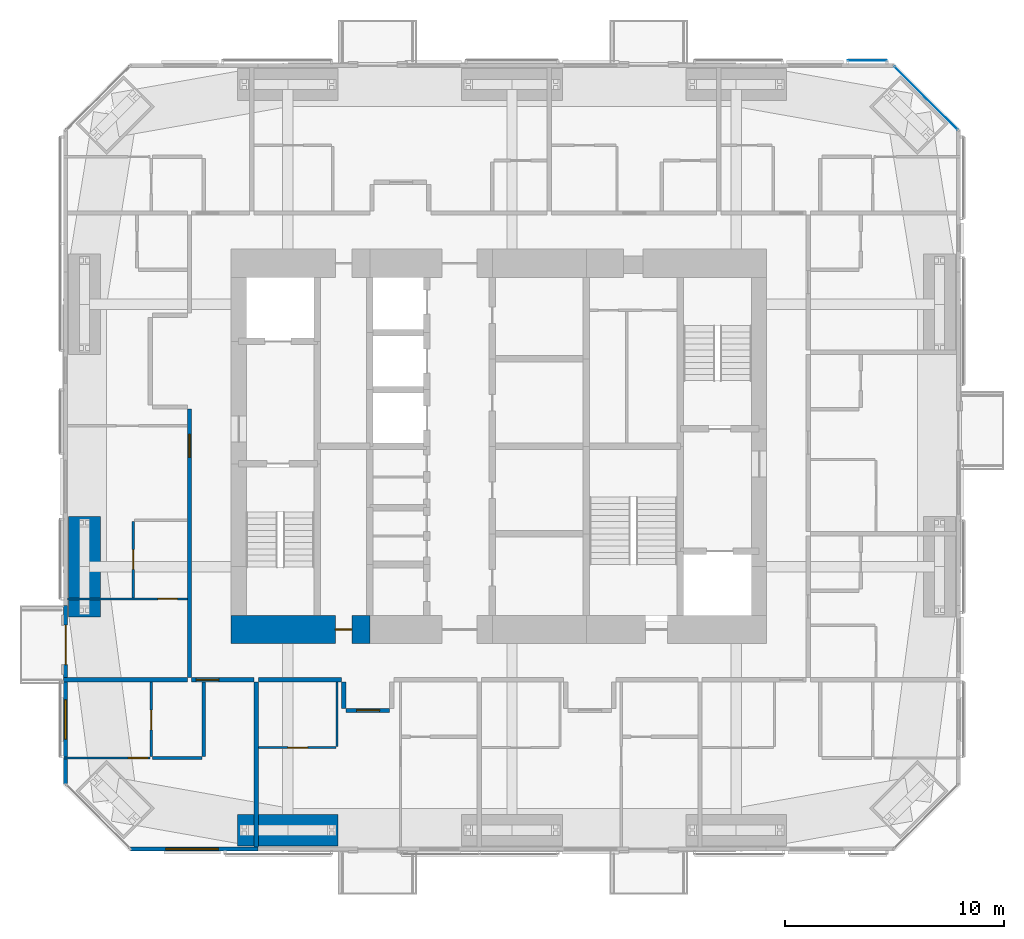
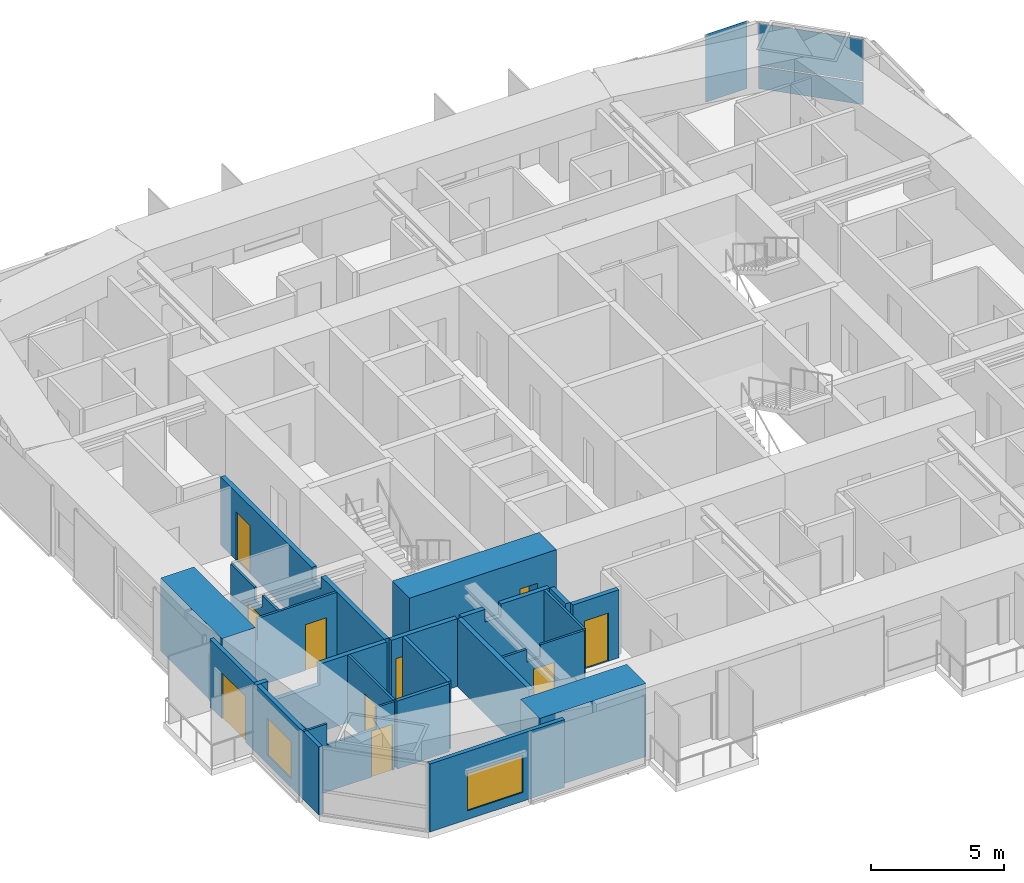
# One storey, part 15 of 22: 20 walls, 10 doors, 3 plates, 2 windows, 12 openings, 2 elements without a shape of their own.
"""IFC4 building model written with IfcOpenShell, lengths in metres."""

import ifcopenshell
import ifcopenshell.guid

model = None  # the IFC model being written
_history = None  # IfcOwnerHistory: only IFC2X3 demands one
_inside = {}  # id of a spatial element -> (the spatial element, [elements in it])
_under = {}  # id of a project, library or spatial element -> (it, [spatial elements below it])
_declared = {}  # id of a project -> (the project, [libraries it declares])
_typed = {}  # id of a type object -> (the type object, [elements of that type])
_made_of = {}  # id of a material, layer set ... -> (it, [elements and type objects made of it])


def new_model(schema):
    """Start an empty IFC model of exactly this schema.

    Asked for "IFC4X3", IfcOpenShell would pick the latest addendum, in which some entities
    have other attributes; the version numbers below select the first issue.
    IFC2X3 requires an IfcOwnerHistory on every rooted entity: one is made here for all.
    """
    global model, _history
    if schema == "IFC4X3":
        model = ifcopenshell.file(schema_version=(4, 3, 0, 0))
    else:
        model = ifcopenshell.file(schema=schema)
    _inside.clear()
    _under.clear()
    _declared.clear()
    _typed.clear()
    _made_of.clear()
    _history = None
    if model.schema == "IFC2X3":
        org = make("IfcOrganization", Name="unknown")
        user = make(
            "IfcPersonAndOrganization",
            ThePerson=make("IfcPerson", FamilyName="unknown"),
            TheOrganization=org,
        )
        app = make(
            "IfcApplication",
            ApplicationDeveloper=org,
            Version="unknown",
            ApplicationFullName="unknown",
            ApplicationIdentifier="unknown",
        )
        _history = make(
            "IfcOwnerHistory",
            OwningUser=user,
            OwningApplication=app,
            ChangeAction="ADDED",
            CreationDate=0,
        )
    return model


def make(cls, **values):
    """One entity of the class cls with the attributes given. An attribute that is None is left unset."""
    return model.create_entity(
        cls, **{name: value for name, value in values.items() if value is not None}
    )


def rooted(cls, **values):
    """An entity with a GlobalId (a new one), such as an element, a storey or a relation."""
    return make(cls, GlobalId=ifcopenshell.guid.new(), OwnerHistory=_history, **values)


def si_unit(unit_type, name, prefix=None):
    """IfcSIUnit, for example si_unit("LENGTHUNIT", "METRE", prefix="MILLI")."""
    return make("IfcSIUnit", UnitType=unit_type, Prefix=prefix, Name=name)


def assignment(units):
    """IfcUnitAssignment: the units of a project."""
    return None if units is None else make("IfcUnitAssignment", Units=units)


def point(xyz):
    """IfcCartesianPoint."""
    return None if xyz is None else make("IfcCartesianPoint", Coordinates=xyz)


def direction(xyz):
    """IfcDirection."""
    return None if xyz is None else make("IfcDirection", DirectionRatios=xyz)


def frame(location, z_axis=None, x_axis=None):
    """IfcAxis2Placement3D, a coordinate frame: its origin and axes. An axis left out is left unset."""
    return make(
        "IfcAxis2Placement3D",
        Location=point(location),
        Axis=direction(z_axis),
        RefDirection=direction(x_axis),
    )


def frame_2d(location, x_axis=None):
    """IfcAxis2Placement2D, a coordinate frame in the plane: its origin and x axis."""
    return make(
        "IfcAxis2Placement2D", Location=point(location), RefDirection=direction(x_axis)
    )


def origin():
    """The frame at (0, 0, 0) with its axes left unset."""
    return frame((0.0, 0.0, 0.0))


def origin_2d():
    """The frame at (0, 0) in the plane with its x axis left unset."""
    return frame_2d((0.0, 0.0))


def place(relative_to, where):
    """IfcLocalPlacement: puts the frame where relative to a parent placement (None: the world)."""
    return make(
        "IfcLocalPlacement", PlacementRelTo=relative_to, RelativePlacement=where
    )


def context(
    kind, dimensions, precision=None, world=None, true_north=None, identifier=None
):
    """IfcGeometricRepresentationContext, for example the 3D "Model" context."""
    return make(
        "IfcGeometricRepresentationContext",
        ContextIdentifier=identifier,
        ContextType=kind,
        CoordinateSpaceDimension=dimensions,
        Precision=precision,
        WorldCoordinateSystem=world,
        TrueNorth=true_north,
    )


def subcontext(parent, identifier, kind, view, scale=None):
    """IfcGeometricRepresentationSubContext, for example "Body" below "Model"."""
    return make(
        "IfcGeometricRepresentationSubContext",
        ContextIdentifier=identifier,
        ContextType=kind,
        ParentContext=parent,
        TargetScale=scale,
        TargetView=view,
    )


def project(units=None, contexts=None):
    """IfcProject with its units and contexts."""
    return rooted(
        "IfcProject",
        Name="project",
        RepresentationContexts=contexts,
        UnitsInContext=assignment(units),
    )


def spatial(cls, under=None, at=None, **own):
    """A site, building, storey or space (cls), placed at a placement, below another one or the project."""
    s = rooted(cls, ObjectPlacement=at, **own)
    if under is not None:
        _under.setdefault(under.id(), (under, []))[1].append(s)
    return s


def polyline(points):
    """IfcPolyline through the points."""
    return make("IfcPolyline", Points=[point(p) for p in points])


def profile(cls, at=None, kind="AREA", **sizes):
    """A parametric profile (cls). Its sizes go by their IFC names, for example OverallWidth=200.0."""
    return make(cls, ProfileType=kind, Position=at, **sizes)


def rectangle(**sizes):
    """IfcRectangleProfileDef."""
    return profile("IfcRectangleProfileDef", **sizes)


def outline(outer, holes=None, kind="AREA"):
    """IfcArbitraryClosedProfileDef: a profile drawn as a closed curve; with holes, ...WithVoids."""
    if holes is None:
        return make("IfcArbitraryClosedProfileDef", ProfileType=kind, OuterCurve=outer)
    return make(
        "IfcArbitraryProfileDefWithVoids",
        ProfileType=kind,
        OuterCurve=outer,
        InnerCurves=holes,
    )


def extrude(swept, where, along, depth):
    """IfcExtrudedAreaSolid: the profile swept, set in the frame where, extruded along a direction by depth."""
    return make(
        "IfcExtrudedAreaSolid",
        SweptArea=swept,
        Position=where,
        ExtrudedDirection=direction(along),
        Depth=depth,
    )


def shape(context_of_items, identifier, shape_type, items):
    """IfcShapeRepresentation: the items that make up one representation, for example the "Body"."""
    return make(
        "IfcShapeRepresentation",
        ContextOfItems=context_of_items,
        RepresentationIdentifier=identifier,
        RepresentationType=shape_type,
        Items=items,
    )


def material(Name=None, Category=None):
    """IfcMaterial."""
    return make("IfcMaterial", Name=Name, Category=Category)


def layer(
    of_material, thickness, ventilated=None, Name=None, Category=None, Priority=None
):
    """IfcMaterialLayer: one layer of a wall or slab, of a material (None: an air gap)."""
    return make(
        "IfcMaterialLayer",
        Material=of_material,
        LayerThickness=thickness,
        IsVentilated=ventilated,
        Name=Name,
        Category=Category,
        Priority=Priority,
    )


def layer_set(layers, Name=None):
    """IfcMaterialLayerSet."""
    return make("IfcMaterialLayerSet", MaterialLayers=layers, LayerSetName=Name)


def constituent(of_material, Name=None, Category=None, fraction=None):
    """IfcMaterialConstituent: one of the materials an element consists of."""
    return make(
        "IfcMaterialConstituent",
        Name=Name,
        Material=of_material,
        Fraction=fraction,
        Category=Category,
    )


def constituent_set(constituents=None, Name=None):
    """IfcMaterialConstituentSet."""
    return make(
        "IfcMaterialConstituentSet", Name=Name, MaterialConstituents=constituents
    )


def made_of(thing, what):
    """Note that an element or type object is made of a material, layer set ...; save() writes the relation."""
    if what is not None:
        _made_of.setdefault(what.id(), (what, []))[1].append(thing)
    return thing


def type_object(cls, material=None, **own):
    """A type object (cls), such as IfcWallType, which elements share."""
    return made_of(rooted(cls, **own), material)


def element(
    cls,
    number,
    at=None,
    inside=None,
    cuts=None,
    type_object=None,
    material=None,
    context=None,
    identifier="Body",
    shape_type=None,
    held_by="IfcProductDefinitionShape",
    body=None,
    shapes=None,
    **own,
):
    """One element of the class cls, such as IfcWall. Its Tag is "e" and its number.

    at: its placement. inside: the storey or other place that contains it. cuts: it is an
    opening in that element (IfcRelVoidsElement). A single representation is given by context,
    identifier, shape_type and body (its items); several are given by shapes. held_by: the class
    of the entity that holds the representations. save() writes the other relations.
    """
    e = rooted(cls, Tag="e%d" % number, ObjectPlacement=at, **own)
    if body is not None:
        shapes = [shape(context, identifier, shape_type, body)]
    if shapes is not None:
        e.Representation = make(held_by, Representations=shapes)
    if inside is not None:
        _inside.setdefault(inside.id(), (inside, []))[1].append(e)
    if cuts is not None:
        rooted(
            "IfcRelVoidsElement", RelatingBuildingElement=cuts, RelatedOpeningElement=e
        )
    if type_object is not None:
        _typed.setdefault(type_object.id(), (type_object, []))[1].append(e)
    return made_of(e, material)


def fill(opening, filler):
    """IfcRelFillsElement: the door or window that sits in an opening."""
    return rooted(
        "IfcRelFillsElement",
        RelatingOpeningElement=opening,
        RelatedBuildingElement=filler,
    )


def aggregate(whole, parts):
    """IfcRelAggregates: a whole, such as a stair, and the parts it consists of."""
    return rooted("IfcRelAggregates", RelatingObject=whole, RelatedObjects=parts)


def save(model, path):
    """Write the relations noted so far, then the file.

    IfcRelAggregates (storeys below a building ...), IfcRelContainedInSpatialStructure (elements
    in a storey), IfcRelDefinesByType, IfcRelAssociatesMaterial and IfcRelDeclares: one each for
    every whole, place, type object, material and project.
    """
    for whole, parts in _under.values():
        aggregate(whole, parts)
    for where, things in _inside.values():
        rooted(
            "IfcRelContainedInSpatialStructure",
            RelatedElements=things,
            RelatingStructure=where,
        )
    for kind, things in _typed.values():
        rooted("IfcRelDefinesByType", RelatedObjects=things, RelatingType=kind)
    for what, things in _made_of.values():
        rooted("IfcRelAssociatesMaterial", RelatedObjects=things, RelatingMaterial=what)
    for by, libraries in _declared.values():
        rooted("IfcRelDeclares", RelatingContext=by, RelatedDefinitions=libraries)
    model.write(path)


model = new_model("IFC4")

# Units and contexts
model_context = context("Model", 3, precision=1e-05, world=origin(), true_north=direction((0.0, 1.0)))
body_context = subcontext(model_context, "Body", "Model", "MODEL_VIEW")
ifc_project = project(units=[si_unit("LENGTHUNIT", "METRE"), si_unit("AREAUNIT", "SQUARE_METRE"), si_unit("VOLUMEUNIT", "CUBIC_METRE"), si_unit("PLANEANGLEUNIT", "RADIAN"), si_unit("MASSUNIT", "GRAM", prefix="KILO")], contexts=[model_context])

# Site, building, storey
site_placement = place(None, origin())
site = spatial("IfcSite", under=ifc_project, at=site_placement, CompositionType="ELEMENT")
building_placement = place(site_placement, origin())
building = spatial("IfcBuilding", under=site, at=building_placement, Name="Jalousie Tower", CompositionType="ELEMENT")
storey_placement = place(building_placement, frame((0.0, 0.0, 154.35009765625)))
storey = spatial("IfcBuildingStorey", under=building, at=storey_placement, Name="L41", CompositionType="ELEMENT", Elevation=154.35009765625)

# Curtain wall, plates
ifc_material_1 = material(Name="Aluminium curtain wall", Category="aluminium")
curtain_wall_type_1 = type_object("IfcCurtainWallType", Name="CORNER WINDOW WALL", PredefinedType="USERDEFINED", material=ifc_material_1)
curtain_wall_1_placement = place(storey_placement, origin())
curtain_wall_1 = element("IfcCurtainWall", 1, at=curtain_wall_1_placement, inside=storey, type_object=curtain_wall_type_1, Name="Corner Window Wall L41 4", ObjectType="CORNER WINDOW WALL", PredefinedType="USERDEFINED")
ifc_material_2 = material(Name="Laminated impact-rated spandrel glass", Category="glass")
ifc_layer_1 = layer(ifc_material_2, 0.028076171875)
ifc_layer_set_1 = layer_set([ifc_layer_1], Name="Laminated impact-rated spandrel glass")
plate_type_1 = type_object("IfcPlateType", Name="CORNER WINDOW WALL PANEL", PredefinedType="CURTAIN_PANEL", material=ifc_layer_set_1)
plate_1_placement = place(storey_placement, frame((51.4306640625, 34.4306640625, 0.06005859375), z_axis=(0.0, 0.0, 1.0), x_axis=(-0.707106781187, 0.707106781187, 0.0)))
plate_1 = element("IfcPlate", 2, at=plate_1_placement, type_object=plate_type_1, Name="CW-C panel 1.1", PredefinedType="CURTAIN_PANEL", context=body_context, shape_type="SweptSolid", body=[
    extrude(rectangle(XDim=4.071533203125, YDim=0.028076171875, at=origin_2d()), origin(), (0.0, 0.0, 1.0), 1.010009765625),
])
plate_2_placement = place(storey_placement, frame((51.4306640625, 34.4306640625, 1.1298828125), z_axis=(0.0, 0.0, 1.0), x_axis=(-0.707106781187, 0.707106781187, 0.0)))
plate_2 = element("IfcPlate", 3, at=plate_2_placement, type_object=plate_type_1, Name="CW-C panel 1.2", PredefinedType="CURTAIN_PANEL", context=body_context, shape_type="SweptSolid", body=[
    extrude(rectangle(XDim=4.071533203125, YDim=0.028076171875, at=origin_2d()), origin(), (0.0, 0.0, 1.0), 1.919921875),
])
aggregate(curtain_wall_1, [plate_1, plate_2])

# Curtain wall, plate
ifc_material_3 = material(Name="Perforated aluminium sheet", Category="aluminium")
curtain_wall_type_2 = type_object("IfcCurtainWallType", Name="SOLAR SCREEN SS-1", PredefinedType="USERDEFINED", material=ifc_material_3)
curtain_wall_2_placement = place(storey_placement, origin())
curtain_wall_2 = element("IfcCurtainWall", 4, at=curtain_wall_2_placement, inside=storey, type_object=curtain_wall_type_2, Name="Solar screen L41", ObjectType="SOLAR SCREEN SS-1", PredefinedType="USERDEFINED")
ifc_material_4 = material(Name="Perforated aluminium sheet", Category="aluminium")
ifc_layer_2 = layer(ifc_material_4, 0.006103515625)
ifc_layer_set_2 = layer_set([ifc_layer_2], Name="Perforated aluminium sheet")
plate_type_2 = type_object("IfcPlateType", Name="SOLAR SCREEN SS-1 PANEL", PredefinedType="CURTAIN_PANEL", material=ifc_layer_set_2)
plate_3_placement = place(storey_placement, frame((48.75390625, 36.150390625, 0.0), z_axis=(0.0, 0.0, 1.0), x_axis=(-1.0, 0.0, 0.0)))
plate_3 = element("IfcPlate", 5, at=plate_3_placement, type_object=plate_type_2, Name="SS1 perforated panel 1", PredefinedType="CURTAIN_PANEL", context=body_context, shape_type="SweptSolid", body=[
    extrude(rectangle(XDim=1.78955078125, YDim=0.006103515625, at=origin_2d()), origin(), (0.0, 0.0, 1.0), 3.110107421875),
])
aggregate(curtain_wall_2, [plate_3])

# Walls
ifc_material_5 = material(Name="Concrete block ASTM C90", Category="concrete")
ifc_constituent_1 = constituent(ifc_material_5, Name="Body")
ifc_material_6 = material(Name="Render")
ifc_constituent_2 = constituent(ifc_material_6, Name="Finish")
ifc_constituent_set_1 = constituent_set(constituents=[ifc_constituent_1, ifc_constituent_2])
wall_type_1 = type_object("IfcWallType", Name="BATHROOM WALL 150", PredefinedType="PLUMBINGWALL", material=ifc_constituent_set_1)
wall_1_placement = place(storey_placement, frame((18.324951171875, 4.251708984375, 0.0), z_axis=(0.0, 0.0, 1.0), x_axis=(-1.0, 0.0, 0.0)))
element("IfcWall", 6, at=wall_1_placement, inside=storey, type_object=wall_type_1, Name="Bathroom Wall 150 L41", PredefinedType="PLUMBINGWALL", context=body_context, shape_type="SweptSolid", body=[
    extrude(rectangle(XDim=2.27490234375, YDim=0.14990234375, at=frame_2d((1.137451171875, 0.0))), origin(), (0.0, 0.0, 1.0), 3.10986328125),
])
wall_2_placement = place(storey_placement, frame((18.39990234375, 4.32666015625, 0.0), z_axis=(0.0, 0.0, 1.0), x_axis=(0.0, 1.0, 0.0)))
element("IfcWall", 7, at=wall_2_placement, inside=storey, type_object=wall_type_1, Name="Bathroom Wall 150 L41", PredefinedType="PLUMBINGWALL", context=body_context, shape_type="SweptSolid", body=[
    extrude(rectangle(XDim=3.3984375, YDim=0.14990234375, at=frame_2d((1.69921875, 0.0))), origin(), (0.0, 0.0, 1.0), 3.10986328125),
])

# Wall, opening, door
ifc_material_7 = material(Name="Concrete f'c 120 MPa", Category="concrete")
ifc_layer_3 = layer(ifc_material_7, 1.300048828125)
ifc_layer_set_3 = layer_set([ifc_layer_3], Name="Concrete f'c 120 MPa")
wall_type_2 = type_object("IfcWallType", Name="CORE WALL 1300", PredefinedType="SHEAR", material=ifc_layer_set_3)
wall_3_placement = place(storey_placement, frame((19.64990234375, 10.125, 0.0), z_axis=(0.0, 0.0, 1.0), x_axis=(1.0, 0.0, 0.0)))
wall_3 = element("IfcWall", 8, at=wall_3_placement, inside=storey, type_object=wall_type_2, Name="Core wall SA L41", PredefinedType="SHEAR", context=body_context, shape_type="SweptSolid", body=[
    extrude(rectangle(XDim=6.35009765625, YDim=1.300048828125, at=frame_2d((3.175048828125, 0.0))), origin(), (0.0, 0.0, 1.0), 3.349853515625),
])
opening_1_placement = place(wall_3_placement, frame((4.77490234375, 0.0, 0.0)))
opening_1 = element("IfcOpeningElement", 9, at=opening_1_placement, cuts=wall_3, Name="Opening D16", PredefinedType="OPENING", context=body_context, shape_type="SweptSolid", body=[
    extrude(rectangle(XDim=0.75, YDim=2.10009765625, at=frame_2d((0.375, 1.050048828125))), frame((0.0, 0.659912109375, 0.0), z_axis=(0.0, -1.0, 0.0), x_axis=(1.0, 0.0, 0.0)), (0.0, 0.0, 1.0), 1.320068359375),
])
ifc_material_8 = material(Name="Steel fire door", Category="steel")
door_type_1 = type_object("IfcDoorType", Name="RISER DOOR 750", OperationType="SINGLE_SWING_LEFT", PredefinedType="DOOR", material=ifc_material_8)
door_1_placement = place(opening_1_placement, origin())
door_1 = element("IfcDoor", 10, at=door_1_placement, inside=storey, type_object=door_type_1, Name="South riser door", OperationType="SINGLE_SWING_LEFT", OverallHeight=2.10009765625, OverallWidth=0.75, PredefinedType="DOOR", context=body_context, shape_type="SweptSolid", body=[
    extrude(rectangle(XDim=0.75, YDim=2.10009765625, at=frame_2d((0.375, 1.050048828125))), frame((0.0, 0.02490234375, 0.0), z_axis=(0.0, -1.0, 0.0), x_axis=(1.0, 0.0, 0.0)), (0.0, 0.0, 1.0), 0.050048828125),
])
fill(opening_1, door_1)

ifc_material_9 = material(Name="Concrete block ASTM C90", Category="concrete")
ifc_constituent_3 = constituent(ifc_material_9, Name="Body")
ifc_material_10 = material(Name="Render")
ifc_constituent_4 = constituent(ifc_material_10, Name="Finish")
ifc_constituent_set_2 = constituent_set(constituents=[ifc_constituent_3, ifc_constituent_4])
wall_type_3 = type_object("IfcWallType", Name="CORRIDOR WALL 200", PredefinedType="PARTITIONING", material=ifc_constituent_set_2)
wall_4_placement = place(storey_placement, frame((17.85009765625, 7.824951171875, 0.0), z_axis=(0.0, 0.0, 1.0), x_axis=(1.0, 0.0, 0.0)))
wall_4 = element("IfcWall", 11, at=wall_4_placement, inside=storey, type_object=wall_type_3, Name="Corridor Wall 200 L41", PredefinedType="PARTITIONING", context=body_context, shape_type="SweptSolid", body=[
    extrude(rectangle(XDim=2.849853515625, YDim=0.199951171875, at=frame_2d((1.4248046875, 0.0))), origin(), (0.0, 0.0, 1.0), 3.10986328125),
])
opening_2_placement = place(wall_4_placement, frame((0.199951171875, 0.0, 0.0)))
opening_2 = element("IfcOpeningElement", 12, at=opening_2_placement, cuts=wall_4, Name="Opening D1", PredefinedType="OPENING", context=body_context, shape_type="SweptSolid", body=[
    extrude(rectangle(XDim=1.050048828125, YDim=2.199951171875, at=frame_2d((0.52490234375, 1.10009765625))), frame((0.0, 0.10986328125, 0.0), z_axis=(0.0, -1.0, 0.0), x_axis=(1.0, 0.0, 0.0)), (0.0, 0.0, 1.0), 0.219970703125),
])
ifc_material_11 = material(Name="Timber fire door", Category="wood")
door_type_2 = type_object("IfcDoorType", Name="APARTMENT ENTRANCE DOOR 1050", OperationType="SINGLE_SWING_LEFT", PredefinedType="DOOR", material=ifc_material_11)
door_2_placement = place(opening_2_placement, frame((1.050048828125, 0.0, 0.0), z_axis=(0.0, 0.0, 1.0), x_axis=(-1.0, 0.0, 0.0)))
door_2 = element("IfcDoor", 13, at=door_2_placement, inside=storey, type_object=door_type_2, Name="Apartment 4101 entrance", OperationType="SINGLE_SWING_LEFT", OverallHeight=2.199951171875, OverallWidth=1.050048828125, PredefinedType="DOOR", context=body_context, shape_type="SweptSolid", body=[
    extrude(rectangle(XDim=1.050048828125, YDim=2.199951171875, at=frame_2d((0.52490234375, 1.10009765625))), frame((0.0, 0.02490234375, 0.0), z_axis=(0.0, -1.0, 0.0), x_axis=(1.0, 0.0, 0.0)), (0.0, 0.0, 1.0), 0.050048828125),
])
fill(opening_2, door_2)

# Wall
wall_5_placement = place(storey_placement, frame((20.89990234375, 7.824951171875, 0.0), z_axis=(0.0, 0.0, 1.0), x_axis=(1.0, 0.0, 0.0)))
element("IfcWall", 14, at=wall_5_placement, inside=storey, type_object=wall_type_3, Name="Corridor Wall 200 L41", PredefinedType="PARTITIONING", context=body_context, shape_type="SweptSolid", body=[
    extrude(outline(polyline([(0.0, 0.0), (3.800048828125, 0.0), (3.800048828125, 3.10986328125), (1.6962890625, 3.10986328125), (1.6962890625, 2.531005859375), (1.00390625, 2.531005859375), (1.00390625, 3.10986328125), (0.0, 3.10986328125), (0.0, 0.0)])), frame((0.0, 0.10009765625, 0.0), z_axis=(0.0, -1.0, 0.0), x_axis=(1.0, 0.0, 0.0)), (0.0, 0.0, 1.0), 0.199951171875),
])

# Wall, opening, door
wall_6_placement = place(storey_placement, frame((17.75, 7.925048828125, 0.0), z_axis=(0.0, 0.0, 1.0), x_axis=(0.0, 1.0, 0.0)))
wall_6 = element("IfcWall", 15, at=wall_6_placement, inside=storey, type_object=wall_type_3, Name="Corridor Wall 200 L41", PredefinedType="PARTITIONING", context=body_context, shape_type="SweptSolid", body=[
    extrude(outline(polyline([(0.0, 0.0), (12.27490234375, 0.0), (12.27490234375, 3.10986328125), (5.421142578125, 3.10986328125), (5.421142578125, 2.531005859375), (4.728759765625, 2.531005859375), (4.728759765625, 3.10986328125), (0.0, 3.10986328125), (0.0, 0.0)])), frame((0.0, 0.10009765625, 0.0), z_axis=(0.0, -1.0, 0.0), x_axis=(1.0, 0.0, 0.0)), (0.0, 0.0, 1.0), 0.199951171875),
])
opening_3_placement = place(wall_6_placement, frame((10.074951171875, 0.0, 0.0)))
opening_3 = element("IfcOpeningElement", 16, at=opening_3_placement, cuts=wall_6, Name="Opening D1", PredefinedType="OPENING", context=body_context, shape_type="SweptSolid", body=[
    extrude(rectangle(XDim=1.050048828125, YDim=2.199951171875, at=frame_2d((0.52490234375, 1.10009765625))), frame((0.0, 0.10986328125, 0.0), z_axis=(0.0, -1.0, 0.0), x_axis=(1.0, 0.0, 0.0)), (0.0, 0.0, 1.0), 0.219970703125),
])
door_3_placement = place(opening_3_placement, origin())
door_3 = element("IfcDoor", 17, at=door_3_placement, inside=storey, type_object=door_type_2, Name="Apartment 4109 entrance", OperationType="SINGLE_SWING_RIGHT", OverallHeight=2.199951171875, OverallWidth=1.050048828125, PredefinedType="DOOR", context=body_context, shape_type="SweptSolid", body=[
    extrude(rectangle(XDim=1.050048828125, YDim=2.199951171875, at=frame_2d((0.52490234375, 1.10009765625))), frame((0.0, 0.02490234375, 0.0), z_axis=(0.0, -1.0, 0.0), x_axis=(1.0, 0.0, 0.0)), (0.0, 0.0, 1.0), 0.050048828125),
])
fill(opening_3, door_3)

wall_7_placement = place(storey_placement, frame((24.89990234375, 6.425048828125, 0.0), z_axis=(0.0, 0.0, 1.0), x_axis=(1.0, 0.0, 0.0)))
wall_7 = element("IfcWall", 18, at=wall_7_placement, inside=storey, type_object=wall_type_3, Name="Corridor Wall 200 L41", PredefinedType="PARTITIONING", context=body_context, shape_type="SweptSolid", body=[
    extrude(rectangle(XDim=2.0, YDim=0.199951171875, at=frame_2d((1.0, 0.0))), origin(), (0.0, 0.0, 1.0), 3.10986328125),
])
opening_4_placement = place(wall_7_placement, frame((0.5, 0.0, 0.0)))
opening_4 = element("IfcOpeningElement", 19, at=opening_4_placement, cuts=wall_7, Name="Opening D1", PredefinedType="OPENING", context=body_context, shape_type="SweptSolid", body=[
    extrude(rectangle(XDim=1.050048828125, YDim=2.199951171875, at=frame_2d((0.52490234375, 1.10009765625))), frame((0.0, 0.10986328125, 0.0), z_axis=(0.0, -1.0, 0.0), x_axis=(1.0, 0.0, 0.0)), (0.0, 0.0, 1.0), 0.219970703125),
])
door_4_placement = place(opening_4_placement, frame((1.050048828125, 0.0, 0.0), z_axis=(0.0, 0.0, 1.0), x_axis=(-1.0, 0.0, 0.0)))
door_4 = element("IfcDoor", 20, at=door_4_placement, inside=storey, type_object=door_type_2, Name="Apartment 4102 entrance", OperationType="SINGLE_SWING_RIGHT", OverallHeight=2.199951171875, OverallWidth=1.050048828125, PredefinedType="DOOR", context=body_context, shape_type="SweptSolid", body=[
    extrude(rectangle(XDim=1.050048828125, YDim=2.199951171875, at=frame_2d((0.52490234375, 1.10009765625))), frame((0.0, 0.02490234375, 0.0), z_axis=(0.0, -1.0, 0.0), x_axis=(1.0, 0.0, 0.0)), (0.0, 0.0, 1.0), 0.050048828125),
])
fill(opening_4, door_4)

# Wall
wall_8_placement = place(storey_placement, frame((24.800048828125, 7.72509765625, 0.0), z_axis=(0.0, 0.0, 1.0), x_axis=(0.0, -1.0, 0.0)))
element("IfcWall", 21, at=wall_8_placement, inside=storey, type_object=wall_type_3, Name="Corridor Wall 200 L41", PredefinedType="PARTITIONING", context=body_context, shape_type="SweptSolid", body=[
    extrude(rectangle(XDim=1.2001953125, YDim=0.199951171875, at=frame_2d((0.60009765625, 0.0))), origin(), (0.0, 0.0, 1.0), 3.10986328125),
])

# Wall, opening, window
ifc_material_12 = material(Name="Concrete f'c 40 MPa", Category="concrete")
ifc_constituent_5 = constituent(ifc_material_12, Name="Body")
ifc_material_13 = material(Name="Render, pastel lemon")
ifc_constituent_6 = constituent(ifc_material_13, Name="Finish")
ifc_constituent_set_3 = constituent_set(constituents=[ifc_constituent_5, ifc_constituent_6])
wall_type_4 = type_object("IfcWallType", Name="EXTERNAL WALL 175 LEMON RENDER", PredefinedType="SOLIDWALL", material=ifc_constituent_set_3)
wall_9_placement = place(storey_placement, frame((15.05126953125, 0.08740234375, 0.0), z_axis=(0.0, 0.0, 1.0), x_axis=(1.0, 0.0, 0.0)))
wall_9 = element("IfcWall", 22, at=wall_9_placement, inside=storey, type_object=wall_type_4, Name="External Wall 175 Lemon Render L41-A", PredefinedType="SOLIDWALL", context=body_context, shape_type="SweptSolid", body=[
    extrude(rectangle(XDim=5.839599609375, YDim=0.175048828125, at=frame_2d((2.919921875, 0.0))), origin(), (0.0, 0.0, 1.0), 3.10986328125),
])
opening_5_placement = place(wall_9_placement, frame((1.62451171875, 0.0, 0.39990234375)))
opening_5 = element("IfcOpeningElement", 23, at=opening_5_placement, cuts=wall_9, Name="Opening W-LIV170", PredefinedType="OPENING", context=body_context, shape_type="SweptSolid", body=[
    extrude(rectangle(XDim=2.39990234375, YDim=1.699951171875, at=frame_2d((1.199951171875, 0.85009765625))), frame((0.0, 0.097412109375, 0.0), z_axis=(0.0, -1.0, 0.0), x_axis=(1.0, 0.0, 0.0)), (0.0, 0.0, 1.0), 0.195068359375),
])
ifc_material_14 = material(Name="Aluminium frame, impact-rated glazing", Category="aluminium")
window_type_1 = type_object("IfcWindowType", Name="WINDOW LIV 2400x1700", PartitioningType="DOUBLE_PANEL_VERTICAL", PredefinedType="WINDOW", material=ifc_material_14)
window_1_placement = place(opening_5_placement, origin())
window_1 = element("IfcWindow", 24, at=window_1_placement, inside=storey, type_object=window_type_1, Name="Apartment 4101 living, dining and kitchen window", OverallHeight=1.699951171875, OverallWidth=2.39990234375, PartitioningType="SINGLE_PANEL", PredefinedType="WINDOW", context=body_context, shape_type="SweptSolid", body=[
    extrude(rectangle(XDim=2.39990234375, YDim=1.699951171875, at=frame_2d((1.199951171875, 0.85009765625))), frame((0.0, 0.030029296875, 0.0), z_axis=(0.0, -1.0, 0.0), x_axis=(1.0, 0.0, 0.0)), (0.0, 0.0, 1.0), 0.06005859375),
])
fill(opening_5, window_1)

# Wall, openings, door, window
wall_10_placement = place(storey_placement, frame((12.08740234375, 11.220947265625, 0.0), z_axis=(0.0, 0.0, 1.0), x_axis=(0.0, -1.0, 0.0)))
wall_10 = element("IfcWall", 25, at=wall_10_placement, inside=storey, type_object=wall_type_4, Name="External Wall 175 Lemon Render L41-C", PredefinedType="SOLIDWALL", context=body_context, shape_type="SweptSolid", body=[
    extrude(rectangle(XDim=8.169677734375, YDim=0.175048828125, at=frame_2d((4.0849609375, 0.0))), origin(), (0.0, 0.0, 1.0), 3.10986328125),
])
opening_6_placement = place(wall_10_placement, frame((0.89599609375, 0.0, 0.0)))
opening_6 = element("IfcOpeningElement", 26, at=opening_6_placement, cuts=wall_10, Name="Opening D-BAL21", PredefinedType="OPENING", context=body_context, shape_type="SweptSolid", body=[
    extrude(rectangle(XDim=1.800048828125, YDim=2.10009765625, at=frame_2d((0.89990234375, 1.050048828125))), frame((0.0, 0.097412109375, 0.0), z_axis=(0.0, -1.0, 0.0), x_axis=(1.0, 0.0, 0.0)), (0.0, 0.0, 1.0), 0.195068359375),
])
opening_7_placement = place(wall_10_placement, frame((4.3076171875, 0.0, 0.39990234375)))
opening_7 = element("IfcOpeningElement", 27, at=opening_7_placement, cuts=wall_10, Name="Opening W-BED170", PredefinedType="OPENING", context=body_context, shape_type="SweptSolid", body=[
    extrude(rectangle(XDim=1.800048828125, YDim=1.699951171875, at=frame_2d((0.89990234375, 0.85009765625))), frame((0.0, 0.097412109375, 0.0), z_axis=(0.0, -1.0, 0.0), x_axis=(1.0, 0.0, 0.0)), (0.0, 0.0, 1.0), 0.195068359375),
])
ifc_material_15 = material(Name="Aluminium frame, impact-rated glazing", Category="aluminium")
door_type_3 = type_object("IfcDoorType", Name="BALCONY DOOR 1800x2100", OperationType="SLIDING_TO_LEFT", PredefinedType="DOOR", material=ifc_material_15)
door_5_placement = place(opening_6_placement, origin())
door_5 = element("IfcDoor", 28, at=door_5_placement, inside=storey, type_object=door_type_3, Name="Apartment 4109 bedroom 1 balcony door", OperationType="SLIDING_TO_LEFT", OverallHeight=2.10009765625, OverallWidth=1.800048828125, PredefinedType="DOOR", context=body_context, shape_type="SweptSolid", body=[
    extrude(rectangle(XDim=1.800048828125, YDim=2.10009765625, at=frame_2d((0.89990234375, 1.050048828125))), frame((0.0, 0.02490234375, 0.0), z_axis=(0.0, -1.0, 0.0), x_axis=(1.0, 0.0, 0.0)), (0.0, 0.0, 1.0), 0.050048828125),
])
fill(opening_6, door_5)
ifc_material_16 = material(Name="Aluminium frame, impact-rated glazing", Category="aluminium")
window_type_2 = type_object("IfcWindowType", Name="WINDOW BED 1800x1700", PartitioningType="SINGLE_PANEL", PredefinedType="WINDOW", material=ifc_material_16)
window_2_placement = place(opening_7_placement, origin())
window_2 = element("IfcWindow", 29, at=window_2_placement, inside=storey, type_object=window_type_2, Name="Apartment 4101 bedroom 1 window", OverallHeight=1.699951171875, OverallWidth=1.800048828125, PartitioningType="SINGLE_PANEL", PredefinedType="WINDOW", context=body_context, shape_type="SweptSolid", body=[
    extrude(rectangle(XDim=1.800048828125, YDim=1.699951171875, at=frame_2d((0.89990234375, 0.85009765625))), frame((0.0, 0.030029296875, 0.0), z_axis=(0.0, -1.0, 0.0), x_axis=(1.0, 0.0, 0.0)), (0.0, 0.0, 1.0), 0.06005859375),
])
fill(opening_7, window_2)

# Wall, opening, door
ifc_material_17 = material(Name="Gypsum board", Category="gypsum")
ifc_constituent_7 = constituent(ifc_material_17, Name="Body")
ifc_material_18 = material(Name="Light-gauge steel studs ASTM A653 SS Grade 33", Category="steel")
ifc_constituent_8 = constituent(ifc_material_18, Name="Framing")
ifc_constituent_set_4 = constituent_set(constituents=[ifc_constituent_7, ifc_constituent_8])
wall_type_5 = type_object("IfcWallType", Name="PARTITION 100", PredefinedType="PARTITIONING", material=ifc_constituent_set_4)
wall_11_placement = place(storey_placement, frame((16.0, 4.32666015625, 0.0), z_axis=(0.0, 0.0, 1.0), x_axis=(0.0, 1.0, 0.0)))
wall_11 = element("IfcWall", 30, at=wall_11_placement, inside=storey, type_object=wall_type_5, Name="Partition 100 L41", PredefinedType="PARTITIONING", context=body_context, shape_type="SweptSolid", body=[
    extrude(rectangle(XDim=3.3984375, YDim=0.10009765625, at=frame_2d((1.69921875, 0.0))), origin(), (0.0, 0.0, 1.0), 3.10986328125),
])
opening_8_placement = place(wall_11_placement, frame((1.211669921875, 0.0, 0.0)))
opening_8 = element("IfcOpeningElement", 31, at=opening_8_placement, cuts=wall_11, Name="Opening D3", PredefinedType="OPENING", context=body_context, shape_type="SweptSolid", body=[
    extrude(rectangle(XDim=0.89990234375, YDim=2.10009765625, at=frame_2d((0.449951171875, 1.050048828125))), frame((0.0, 0.06005859375, 0.0), z_axis=(0.0, -1.0, 0.0), x_axis=(1.0, 0.0, 0.0)), (0.0, 0.0, 1.0), 0.1201171875),
])
ifc_material_19 = material(Name="Timber door", Category="wood")
door_type_4 = type_object("IfcDoorType", Name="BATHROOM DOOR 900", OperationType="SINGLE_SWING_LEFT", PredefinedType="DOOR", material=ifc_material_19)
door_6_placement = place(opening_8_placement, frame((0.89990234375, 0.0, 0.0), z_axis=(0.0, 0.0, 1.0), x_axis=(-1.0, 0.0, 0.0)))
door_6 = element("IfcDoor", 32, at=door_6_placement, inside=storey, type_object=door_type_4, Name="Apartment 4101 bedroom 1 bathroom door", OperationType="SINGLE_SWING_RIGHT", OverallHeight=2.10009765625, OverallWidth=0.89990234375, PredefinedType="DOOR", context=body_context, shape_type="SweptSolid", body=[
    extrude(rectangle(XDim=0.89990234375, YDim=2.10009765625, at=frame_2d((0.449951171875, 1.050048828125))), frame((0.0, 0.02490234375, 0.0), z_axis=(0.0, -1.0, 0.0), x_axis=(1.0, 0.0, 0.0)), (0.0, 0.0, 1.0), 0.050048828125),
])
fill(opening_8, door_6)

wall_12_placement = place(storey_placement, frame((15.949951171875, 4.251708984375, 0.0), z_axis=(0.0, 0.0, 1.0), x_axis=(-1.0, 0.0, 0.0)))
wall_12 = element("IfcWall", 33, at=wall_12_placement, inside=storey, type_object=wall_type_5, Name="Partition 100 L41", PredefinedType="PARTITIONING", context=body_context, shape_type="SweptSolid", body=[
    extrude(outline(polyline([(0.0, 0.0), (3.949951171875, 0.0), (3.949951171875, 3.10986328125), (2.92041015625, 3.10986328125), (2.92041015625, 2.14990234375), (0.7822265625, 2.14990234375), (0.7822265625, 3.10986328125), (0.0, 3.10986328125), (0.0, 0.0)])), frame((0.0, 0.050048828125, 0.0), z_axis=(0.0, -1.0, 0.0), x_axis=(1.0, 0.0, 0.0)), (0.0, 0.0, 1.0), 0.10009765625),
])
opening_9_placement = place(wall_12_placement, frame((0.10009765625, 0.0, 0.0)))
opening_9 = element("IfcOpeningElement", 34, at=opening_9_placement, cuts=wall_12, Name="Opening D2", PredefinedType="OPENING", context=body_context, shape_type="SweptSolid", body=[
    extrude(rectangle(XDim=0.89990234375, YDim=2.10009765625, at=frame_2d((0.449951171875, 1.050048828125))), frame((0.0, 0.06005859375, 0.0), z_axis=(0.0, -1.0, 0.0), x_axis=(1.0, 0.0, 0.0)), (0.0, 0.0, 1.0), 0.1201171875),
])
ifc_material_20 = material(Name="Timber door", Category="wood")
door_type_5 = type_object("IfcDoorType", Name="BEDROOM DOOR 900", OperationType="SINGLE_SWING_LEFT", PredefinedType="DOOR", material=ifc_material_20)
door_7_placement = place(opening_9_placement, frame((0.89990234375, 0.0, 0.0), z_axis=(0.0, 0.0, 1.0), x_axis=(-1.0, 0.0, 0.0)))
door_7 = element("IfcDoor", 35, at=door_7_placement, inside=storey, type_object=door_type_5, Name="Apartment 4101 bedroom 1 door", OperationType="SINGLE_SWING_RIGHT", OverallHeight=2.10009765625, OverallWidth=0.89990234375, PredefinedType="DOOR", context=body_context, shape_type="SweptSolid", body=[
    extrude(rectangle(XDim=0.89990234375, YDim=2.10009765625, at=frame_2d((0.449951171875, 1.050048828125))), frame((0.0, 0.02490234375, 0.0), z_axis=(0.0, -1.0, 0.0), x_axis=(1.0, 0.0, 0.0)), (0.0, 0.0, 1.0), 0.050048828125),
])
fill(opening_9, door_7)

wall_13_placement = place(storey_placement, frame((20.89990234375, 4.72509765625, 0.0), z_axis=(0.0, 0.0, 1.0), x_axis=(1.0, 0.0, 0.0)))
wall_13 = element("IfcWall", 36, at=wall_13_placement, inside=storey, type_object=wall_type_5, Name="Partition 100 L41", PredefinedType="PARTITIONING", context=body_context, shape_type="SweptSolid", body=[
    extrude(outline(polyline([(0.0, 0.0), (3.550048828125, 0.0), (3.550048828125, 3.10986328125), (1.646240234375, 3.10986328125), (1.646240234375, 2.531005859375), (1.0537109375, 2.531005859375), (1.0537109375, 3.10986328125), (0.0, 3.10986328125), (0.0, 0.0)])), frame((0.0, 0.050048828125, 0.0), z_axis=(0.0, -1.0, 0.0), x_axis=(1.0, 0.0, 0.0)), (0.0, 0.0, 1.0), 0.10009765625),
])
opening_10_placement = place(wall_13_placement, frame((1.35009765625, 0.0, 0.0)))
opening_10 = element("IfcOpeningElement", 37, at=opening_10_placement, cuts=wall_13, Name="Opening D7", PredefinedType="OPENING", context=body_context, shape_type="SweptSolid", body=[
    extrude(rectangle(XDim=0.89990234375, YDim=2.10009765625, at=frame_2d((0.449951171875, 1.050048828125))), frame((0.0, 0.06005859375, 0.0), z_axis=(0.0, -1.0, 0.0), x_axis=(1.0, 0.0, 0.0)), (0.0, 0.0, 1.0), 0.1201171875),
])
ifc_material_21 = material(Name="Timber door", Category="wood")
door_type_6 = type_object("IfcDoorType", Name="INTERNAL DOOR 900", OperationType="SINGLE_SWING_LEFT", PredefinedType="DOOR", material=ifc_material_21)
door_8_placement = place(opening_10_placement, frame((0.89990234375, 0.0, 0.0), z_axis=(0.0, 0.0, 1.0), x_axis=(-1.0, 0.0, 0.0)))
door_8 = element("IfcDoor", 38, at=door_8_placement, inside=storey, type_object=door_type_6, Name="Apartment 4102 kitchen door", OperationType="SINGLE_SWING_RIGHT", OverallHeight=2.10009765625, OverallWidth=0.89990234375, PredefinedType="DOOR", context=body_context, shape_type="SweptSolid", body=[
    extrude(rectangle(XDim=0.89990234375, YDim=2.10009765625, at=frame_2d((0.449951171875, 1.050048828125))), frame((0.0, 0.02490234375, 0.0), z_axis=(0.0, -1.0, 0.0), x_axis=(1.0, 0.0, 0.0)), (0.0, 0.0, 1.0), 0.050048828125),
])
fill(opening_10, door_8)

# Wall
wall_14_placement = place(storey_placement, frame((24.5, 4.77490234375, 0.0), z_axis=(0.0, 0.0, 1.0), x_axis=(0.0, 1.0, 0.0)))
element("IfcWall", 39, at=wall_14_placement, inside=storey, type_object=wall_type_5, Name="Partition 100 L41", PredefinedType="PARTITIONING", context=body_context, shape_type="SweptSolid", body=[
    extrude(rectangle(XDim=2.9501953125, YDim=0.10009765625, at=frame_2d((1.47509765625, 0.0))), origin(), (0.0, 0.0, 1.0), 3.10986328125),
])

# Wall, opening, door
wall_15_placement = place(storey_placement, frame((12.175048828125, 11.52490234375, 0.0), z_axis=(0.0, 0.0, 1.0), x_axis=(1.0, 0.0, 0.0)))
wall_15 = element("IfcWall", 40, at=wall_15_placement, inside=storey, type_object=wall_type_5, Name="Partition 100 L41", PredefinedType="PARTITIONING", context=body_context, shape_type="SweptSolid", body=[
    extrude(outline(polyline([(0.52880859375, 2.14990234375), (0.0, 2.14990234375), (0.0, 0.0), (0.52880859375, 0.0), (0.52880859375, 0.147705078125), (1.021240234375, 0.147705078125), (1.021240234375, 0.0), (5.47509765625, 0.0), (5.47509765625, 3.10986328125), (2.037841796875, 3.10986328125), (2.037841796875, 2.14990234375), (1.021240234375, 2.14990234375), (1.021240234375, 1.85205078125), (0.52880859375, 1.85205078125), (0.52880859375, 2.14990234375)])), frame((0.0, 0.050048828125, 0.0), z_axis=(0.0, -1.0, 0.0), x_axis=(1.0, 0.0, 0.0)), (0.0, 0.0, 1.0), 0.10009765625),
])
opening_11_placement = place(wall_15_placement, frame((4.125, 0.0, 0.0)))
opening_11 = element("IfcOpeningElement", 41, at=opening_11_placement, cuts=wall_15, Name="Opening D2", PredefinedType="OPENING", context=body_context, shape_type="SweptSolid", body=[
    extrude(rectangle(XDim=0.89990234375, YDim=2.10009765625, at=frame_2d((0.449951171875, 1.050048828125))), frame((0.0, 0.06005859375, 0.0), z_axis=(0.0, -1.0, 0.0), x_axis=(1.0, 0.0, 0.0)), (0.0, 0.0, 1.0), 0.1201171875),
])
door_9_placement = place(opening_11_placement, frame((0.89990234375, 0.0, 0.0), z_axis=(0.0, 0.0, 1.0), x_axis=(-1.0, 0.0, 0.0)))
door_9 = element("IfcDoor", 42, at=door_9_placement, inside=storey, type_object=door_type_5, Name="Apartment 4109 bedroom 1 door", OperationType="SINGLE_SWING_LEFT", OverallHeight=2.10009765625, OverallWidth=0.89990234375, PredefinedType="DOOR", context=body_context, shape_type="SweptSolid", body=[
    extrude(rectangle(XDim=0.89990234375, YDim=2.10009765625, at=frame_2d((0.449951171875, 1.050048828125))), frame((0.0, 0.02490234375, 0.0), z_axis=(0.0, -1.0, 0.0), x_axis=(1.0, 0.0, 0.0)), (0.0, 0.0, 1.0), 0.050048828125),
])
fill(opening_11, door_9)

wall_16_placement = place(storey_placement, frame((15.175048828125, 11.574951171875, 0.0), z_axis=(0.0, 0.0, 1.0), x_axis=(0.0, 1.0, 0.0)))
wall_16 = element("IfcWall", 43, at=wall_16_placement, inside=storey, type_object=wall_type_5, Name="Partition 100 L41", PredefinedType="PARTITIONING", context=body_context, shape_type="SweptSolid", body=[
    extrude(outline(polyline([(0.0, 0.0), (3.5, 0.0), (3.5, 3.10986328125), (1.72119140625, 3.10986328125), (1.72119140625, 2.531005859375), (1.12890625, 2.531005859375), (1.12890625, 3.10986328125), (0.0, 3.10986328125), (0.0, 0.0)])), frame((0.0, 0.050048828125, 0.0), z_axis=(0.0, -1.0, 0.0), x_axis=(1.0, 0.0, 0.0)), (0.0, 0.0, 1.0), 0.10009765625),
])
opening_12_placement = place(wall_16_placement, frame((1.300048828125, 0.0, 0.0)))
opening_12 = element("IfcOpeningElement", 44, at=opening_12_placement, cuts=wall_16, Name="Opening D7", PredefinedType="OPENING", context=body_context, shape_type="SweptSolid", body=[
    extrude(rectangle(XDim=0.89990234375, YDim=2.10009765625, at=frame_2d((0.449951171875, 1.050048828125))), frame((0.0, 0.06005859375, 0.0), z_axis=(0.0, -1.0, 0.0), x_axis=(1.0, 0.0, 0.0)), (0.0, 0.0, 1.0), 0.1201171875),
])
door_10_placement = place(opening_12_placement, frame((0.89990234375, 0.0, 0.0), z_axis=(0.0, 0.0, 1.0), x_axis=(-1.0, 0.0, 0.0)))
door_10 = element("IfcDoor", 45, at=door_10_placement, inside=storey, type_object=door_type_6, Name="Apartment 4109 kitchen door", OperationType="SINGLE_SWING_RIGHT", OverallHeight=2.10009765625, OverallWidth=0.89990234375, PredefinedType="DOOR", context=body_context, shape_type="SweptSolid", body=[
    extrude(rectangle(XDim=0.89990234375, YDim=2.10009765625, at=frame_2d((0.449951171875, 1.050048828125))), frame((0.0, 0.02490234375, 0.0), z_axis=(0.0, -1.0, 0.0), x_axis=(1.0, 0.0, 0.0)), (0.0, 0.0, 1.0), 0.050048828125),
])
fill(opening_12, door_10)

# Walls
ifc_material_22 = material(Name="Concrete block ASTM C90", Category="concrete")
ifc_constituent_9 = constituent(ifc_material_22, Name="Body")
ifc_material_23 = material(Name="Render")
ifc_constituent_10 = constituent(ifc_material_23, Name="Finish")
ifc_constituent_set_5 = constituent_set(constituents=[ifc_constituent_9, ifc_constituent_10])
wall_type_6 = type_object("IfcWallType", Name="PARTY WALL 200", PredefinedType="PARTITIONING", material=ifc_constituent_set_5)
wall_17_placement = place(storey_placement, frame((20.800048828125, 0.175048828125, 0.0), z_axis=(0.0, 0.0, 1.0), x_axis=(0.0, 1.0, 0.0)))
element("IfcWall", 46, at=wall_17_placement, inside=storey, type_object=wall_type_6, Name="Party Wall 200 L41", PredefinedType="PARTITIONING", context=body_context, shape_type="SweptSolid", body=[
    extrude(outline(polyline([(0.52880859375, 2.14990234375), (0.0, 2.14990234375), (0.0, 0.0), (0.52880859375, 0.0), (0.52880859375, 0.21337890625), (1.021240234375, 0.21337890625), (1.021240234375, 0.0), (7.550048828125, 0.0), (7.550048828125, 3.10986328125), (2.158935546875, 3.10986328125), (2.158935546875, 2.14990234375), (1.021240234375, 2.14990234375), (1.021240234375, 1.786376953125), (0.52880859375, 1.786376953125), (0.52880859375, 2.14990234375)])), frame((0.0, 0.10009765625, 0.0), z_axis=(0.0, -1.0, 0.0), x_axis=(1.0, 0.0, 0.0)), (0.0, 0.0, 1.0), 0.199951171875),
])
wall_18_placement = place(storey_placement, frame((12.0, 7.824951171875, 0.0), z_axis=(0.0, 0.0, 1.0), x_axis=(1.0, 0.0, 0.0)))
element("IfcWall", 47, at=wall_18_placement, inside=storey, type_object=wall_type_6, Name="Party Wall 200 L41", PredefinedType="PARTITIONING", context=body_context, shape_type="SweptSolid", body=[
    extrude(outline(polyline([(0.0, 0.0), (5.64990234375, 0.0), (5.64990234375, 3.10986328125), (2.7490234375, 3.10986328125), (2.7490234375, 2.14990234375), (0.510009765625, 2.14990234375), (0.510009765625, 3.10986328125), (0.0, 3.10986328125), (0.0, 0.0)])), frame((0.0, 0.10009765625, 0.0), z_axis=(0.0, -1.0, 0.0), x_axis=(1.0, 0.0, 0.0)), (0.0, 0.0, 1.0), 0.199951171875),
])
ifc_material_24 = material(Name="Concrete f'c 120 MPa", Category="concrete")
ifc_layer_4 = layer(ifc_material_24, 1.449951171875)
ifc_layer_set_4 = layer_set([ifc_layer_4], Name="Concrete f'c 120 MPa")
wall_type_7 = type_object("IfcWallType", Name="RC WALL PIER 1450", PredefinedType="SHEAR", material=ifc_layer_set_4)
for number, where, z_axis, x_axis, name in (
    (48, (19.949951171875, 0.949951171875, 0.0), (0.0, 0.0, 1.0), (1.0, 0.0, 0.0), "Wall pier 02 L41"),
    (49, (12.949951171875, 10.699951171875, 0.0), (0.0, 0.0, 1.0), (0.0, 1.0, 0.0), "Wall pier 14 L41"),
):
    element("IfcWall", number, at=place(storey_placement, frame(where, z_axis=z_axis, x_axis=x_axis)), inside=storey, type_object=wall_type_7, Name=name, PredefinedType="SHEAR", context=body_context, shape_type="SweptSolid", body=[
        extrude(rectangle(XDim=4.60009765625, YDim=1.449951171875, at=frame_2d((2.300048828125, 0.0))), origin(), (0.0, 0.0, 1.0), 3.349853515625),
    ])

save(model, "model.ifc")
